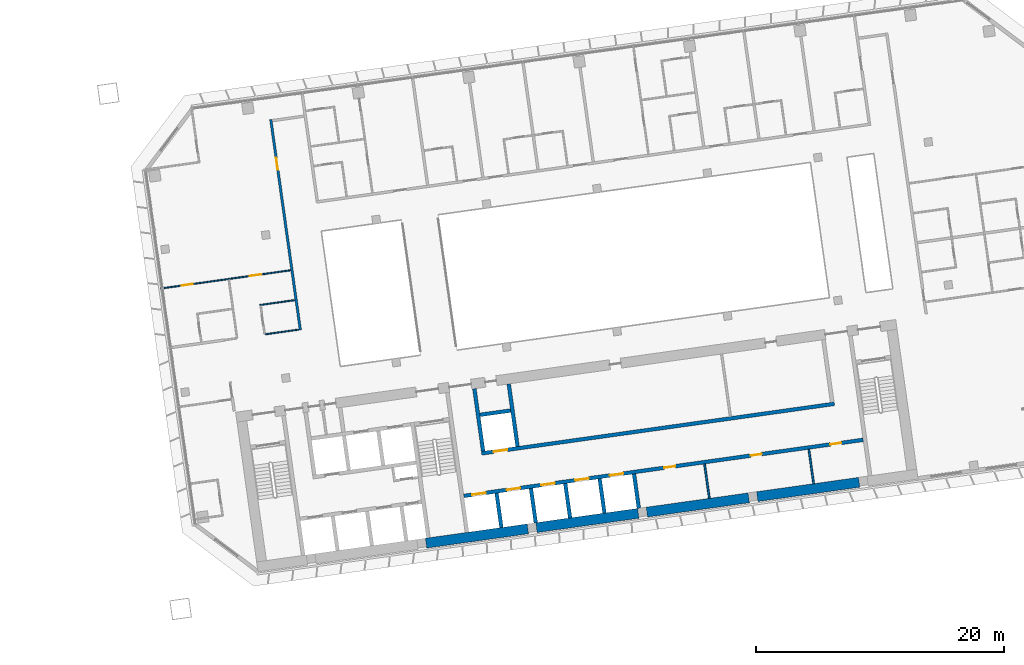
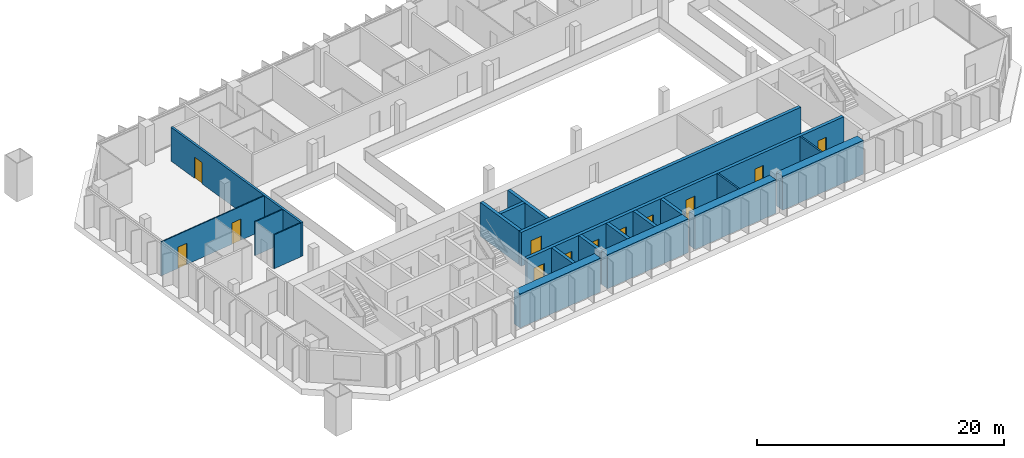
# One storey, part 19 of 26: 20 walls, 12 doors, 12 openings.
"""IFC4 building model written with IfcOpenShell, lengths in metres."""

from ifc_helpers import new_model, si_unit, direction, frame, frame_2d, origin, place, context, subcontext, project, spatial, rectangle, extrude, material, layer, layer_set, type_object, element, fill, save


model = new_model("IFC4")

# Units and contexts
model_context = context("Model", 3, precision=1e-05, world=origin(), true_north=direction((0.0, 1.0)))
body_context = subcontext(model_context, "Body", "Model", "MODEL_VIEW")
ifc_project = project(units=[si_unit("LENGTHUNIT", "METRE"), si_unit("AREAUNIT", "SQUARE_METRE"), si_unit("VOLUMEUNIT", "CUBIC_METRE"), si_unit("PLANEANGLEUNIT", "RADIAN"), si_unit("MASSUNIT", "GRAM", prefix="KILO")], contexts=[model_context])

# Site, building, storey
site_placement = place(None, origin())
site = spatial("IfcSite", under=ifc_project, at=site_placement, CompositionType="ELEMENT")
building_placement = place(site_placement, origin())
building = spatial("IfcBuilding", under=site, at=building_placement, Name="Mirante Cascada Hotel Towers", CompositionType="ELEMENT")
storey_placement = place(building_placement, frame((0.0, 0.0, 106.3)))
storey = spatial("IfcBuildingStorey", under=building, at=storey_placement, Name="L23", CompositionType="ELEMENT", Elevation=106.3)

# Wall, opening, door
ifc_material_1 = material(Name="Fire-rated plasterboard on metal studs")
ifc_layer_1 = layer(ifc_material_1, 0.2)
ifc_layer_set_1 = layer_set([ifc_layer_1], Name="Compartment wall 200 EI 120")
wall_type_1 = type_object("IfcWallType", Name="Compartment wall 200 EI 120", PredefinedType="PARTITIONING", material=ifc_layer_set_1)
wall_1_placement = place(storey_placement, frame((40.6028, -0.5604, 0.0), z_axis=(0.0, 0.0, 1.0), x_axis=(-0.139172, 0.9902682, 0.0)))
wall_1 = element("IfcWall", 1, at=wall_1_placement, inside=storey, type_object=wall_type_1, Name="Wall 2-L23-38", PredefinedType="PARTITIONING", context=body_context, shape_type="SweptSolid", body=[
    extrude(rectangle(XDim=17.15, YDim=0.2, at=frame_2d((8.575, 0.0))), origin(), (0.0, 0.0, 1.0), 3.35),
])
opening_1_placement = place(wall_1_placement, frame((13.05, 0.0, 0.0)))
opening_1 = element("IfcOpeningElement", 2, at=opening_1_placement, cuts=wall_1, Name="Opening D2-L23-31", PredefinedType="OPENING", context=body_context, shape_type="SweptSolid", body=[
    extrude(rectangle(XDim=1.0, YDim=2.1, at=frame_2d((0.5, 1.05))), frame((0.0, 0.1, 0.0), z_axis=(0.0, -1.0, 0.0), x_axis=(1.0, 0.0, 0.0)), (0.0, 0.0, 1.0), 0.2),
])
ifc_material_2 = material(Name="Fire-rated timber door leaf", Category="wood")
door_type_1 = type_object("IfcDoorType", Name="Entrance door DG1 1000x2100 EI 60", OperationType="SINGLE_SWING_LEFT", PredefinedType="DOOR", material=ifc_material_2)
door_1_placement = place(opening_1_placement, origin())
door_1 = element("IfcDoor", 3, at=door_1_placement, inside=storey, type_object=door_type_1, Name="Door D2-L23-31", OperationType="SINGLE_SWING_LEFT", OverallHeight=2.1, OverallWidth=1.0, PredefinedType="DOOR", context=body_context, shape_type="SweptSolid", body=[
    extrude(rectangle(XDim=1.0, YDim=2.1, at=frame_2d((0.5, 1.05))), frame((0.0, 0.025, 0.0), z_axis=(0.0, -1.0, 0.0), x_axis=(1.0, 0.0, 0.0)), (0.0, 0.0, 1.0), 0.05),
])
fill(opening_1, door_1)

# Walls
ifc_material_3 = material(Name="Masonry block", Category="masonry")
ifc_layer_2 = layer(ifc_material_3, 0.15)
ifc_layer_set_2 = layer_set([ifc_layer_2], Name="Core room partition 150 block EI 30")
wall_type_2 = type_object("IfcWallType", Name="Core room partition 150 block EI 30", PredefinedType="PARTITIONING", material=ifc_layer_set_2)
wall_2_placement = place(storey_placement, frame((73.6152, -14.1482, 0.0), z_axis=(0.0, 0.0, 1.0), x_axis=(-0.139176, 0.9902677, 0.0)))
element("IfcWall", 4, at=wall_2_placement, inside=storey, type_object=wall_type_2, Name="Core wall partition T2 L23 5", PredefinedType="PARTITIONING", context=body_context, shape_type="SweptSolid", body=[
    extrude(rectangle(XDim=2.8001, YDim=0.15, at=frame_2d((1.4, 0.0))), origin(), (0.0, 0.0, 1.0), 3.35),
])
wall_3_placement = place(storey_placement, frame((82.0324, -12.9652, 0.0), z_axis=(0.0, 0.0, 1.0), x_axis=(-0.139141, 0.9902726, 0.0)))
element("IfcWall", 5, at=wall_3_placement, inside=storey, type_object=wall_type_2, Name="Core wall partition T2 L23 6", PredefinedType="PARTITIONING", context=body_context, shape_type="SweptSolid", body=[
    extrude(rectangle(XDim=2.8, YDim=0.15, at=frame_2d((1.4, 0.0))), origin(), (0.0, 0.0, 1.0), 3.35),
])
ifc_material_4 = material(Name="Plasterboard on metal studs")
ifc_layer_3 = layer(ifc_material_4, 0.1)
ifc_layer_set_3 = layer_set([ifc_layer_3], Name="Partition 100")
wall_type_3 = type_object("IfcWallType", Name="Partition 100", PredefinedType="PARTITIONING", material=ifc_layer_set_3)
wall_4_placement = place(storey_placement, frame((37.7538, -0.9103, 0.0), z_axis=(0.0, 0.0, 1.0), x_axis=(0.9902645, 0.1391984, 0.0)))
element("IfcWall", 6, at=wall_4_placement, inside=storey, type_object=wall_type_3, Name="Wall 2-L23-10", PredefinedType="PARTITIONING", context=body_context, shape_type="SweptSolid", body=[
    extrude(rectangle(XDim=2.74, YDim=0.1, at=frame_2d((1.37, 0.0))), origin(), (0.0, 0.0, 1.0), 3.35),
])
wall_5_placement = place(storey_placement, frame((40.1628, 1.8519, 0.0), z_axis=(0.0, 0.0, 1.0), x_axis=(-0.9902649, -0.1391957, 0.0)))
element("IfcWall", 7, at=wall_5_placement, inside=storey, type_object=wall_type_3, Name="Wall 2-L23-13", PredefinedType="PARTITIONING", context=body_context, shape_type="SweptSolid", body=[
    extrude(rectangle(XDim=2.8499, YDim=0.1, at=frame_2d((1.425, 0.0))), origin(), (0.0, 0.0, 1.0), 3.35),
])

# Wall, openings, doors
wall_6_placement = place(storey_placement, frame((29.3273, 2.7863, 0.0), z_axis=(0.0, 0.0, 1.0), x_axis=(0.9902686, 0.1391691, 0.0)))
wall_6 = element("IfcWall", 8, at=wall_6_placement, inside=storey, type_object=wall_type_3, Name="Wall 2-L23-16", PredefinedType="PARTITIONING", context=body_context, shape_type="SweptSolid", body=[
    extrude(rectangle(XDim=10.6001, YDim=0.1, at=frame_2d((5.3, 0.0))), origin(), (0.0, 0.0, 1.0), 3.35),
])
opening_2_placement = place(wall_6_placement, frame((1.725, 0.0, 0.0)))
opening_2 = element("IfcOpeningElement", 9, at=opening_2_placement, cuts=wall_6, Name="Opening D2-L23-05", PredefinedType="OPENING", context=body_context, shape_type="SweptSolid", body=[
    extrude(rectangle(XDim=0.9, YDim=2.1, at=frame_2d((0.45, 1.05))), frame((0.0, 0.05, 0.0), z_axis=(0.0, -1.0, 0.0), x_axis=(1.0, 0.0, 0.0)), (0.0, 0.0, 1.0), 0.1),
])
opening_3_placement = place(wall_6_placement, frame((7.275, 0.0, 0.0)))
opening_3 = element("IfcOpeningElement", 10, at=opening_3_placement, cuts=wall_6, Name="Opening D2-L23-06", PredefinedType="OPENING", context=body_context, shape_type="SweptSolid", body=[
    extrude(rectangle(XDim=0.9, YDim=2.1, at=frame_2d((0.45, 1.05))), frame((0.0, 0.05, 0.0), z_axis=(0.0, -1.0, 0.0), x_axis=(1.0, 0.0, 0.0)), (0.0, 0.0, 1.0), 0.1),
])
ifc_material_5 = material(Name="Timber door leaf", Category="wood")
door_type_2 = type_object("IfcDoorType", Name="Room door DG3 900x2100", OperationType="SINGLE_SWING_LEFT", PredefinedType="DOOR", material=ifc_material_5)
door_2_placement = place(opening_2_placement, origin())
door_2 = element("IfcDoor", 11, at=door_2_placement, inside=storey, type_object=door_type_2, Name="Door D2-L23-05", OperationType="SINGLE_SWING_LEFT", OverallHeight=2.1, OverallWidth=0.9, PredefinedType="DOOR", context=body_context, shape_type="SweptSolid", body=[
    extrude(rectangle(XDim=0.9, YDim=2.1, at=frame_2d((0.45, 1.05))), frame((0.0, 0.025, 0.0), z_axis=(0.0, -1.0, 0.0), x_axis=(1.0, 0.0, 0.0)), (0.0, 0.0, 1.0), 0.05),
])
fill(opening_2, door_2)
door_3_placement = place(opening_3_placement, origin())
door_3 = element("IfcDoor", 12, at=door_3_placement, inside=storey, type_object=door_type_2, Name="Door D2-L23-06", OperationType="SINGLE_SWING_LEFT", OverallHeight=2.1, OverallWidth=0.9, PredefinedType="DOOR", context=body_context, shape_type="SweptSolid", body=[
    extrude(rectangle(XDim=0.9, YDim=2.1, at=frame_2d((0.45, 1.05))), frame((0.0, 0.025, 0.0), z_axis=(0.0, -1.0, 0.0), x_axis=(1.0, 0.0, 0.0)), (0.0, 0.0, 1.0), 0.05),
])
fill(opening_3, door_3)

ifc_material_6 = material(Name="Concrete C50/60", Category="concrete")
ifc_layer_4 = layer(ifc_material_6, 0.3)
ifc_layer_set_4 = layer_set([ifc_layer_4], Name="RC core wall 300 C50/60")
wall_type_4 = type_object("IfcWallType", Name="RC core wall 300 C50/60", PredefinedType="SHEAR", material=ifc_layer_set_4)
wall_7_placement = place(storey_placement, frame((53.7953, -13.9547, 0.0), z_axis=(0.0, 0.0, 1.0), x_axis=(0.990268, 0.1391733, 0.0)))
wall_7 = element("IfcWall", 13, at=wall_7_placement, inside=storey, type_object=wall_type_4, Name="Core wall T2:L23:25", PredefinedType="SHEAR", context=body_context, shape_type="SweptSolid", body=[
    extrude(rectangle(XDim=32.5501, YDim=0.3, at=frame_2d((16.275, 0.0))), origin(), (0.0, 0.0, 1.0), 3.35),
])
opening_4_placement = place(wall_7_placement, frame((0.7, 0.0, 0.0)))
opening_4 = element("IfcOpeningElement", 14, at=opening_4_placement, cuts=wall_7, Name="Opening LD", PredefinedType="OPENING", context=body_context, shape_type="SweptSolid", body=[
    extrude(rectangle(XDim=1.1, YDim=2.1, at=frame_2d((0.55, 1.05))), frame((0.0, 0.15, 0.0), z_axis=(0.0, -1.0, 0.0), x_axis=(1.0, 0.0, 0.0)), (0.0, 0.0, 1.0), 0.3),
])
opening_5_placement = place(wall_7_placement, frame((3.5, 0.0, 0.0)))
opening_5 = element("IfcOpeningElement", 15, at=opening_5_placement, cuts=wall_7, Name="Opening LD", PredefinedType="OPENING", context=body_context, shape_type="SweptSolid", body=[
    extrude(rectangle(XDim=1.1, YDim=2.1, at=frame_2d((0.55, 1.05))), frame((0.0, 0.15, 0.0), z_axis=(0.0, -1.0, 0.0), x_axis=(1.0, 0.0, 0.0)), (0.0, 0.0, 1.0), 0.3),
])
opening_6_placement = place(wall_7_placement, frame((6.3, 0.0, 0.0)))
opening_6 = element("IfcOpeningElement", 16, at=opening_6_placement, cuts=wall_7, Name="Opening LD", PredefinedType="OPENING", context=body_context, shape_type="SweptSolid", body=[
    extrude(rectangle(XDim=1.1, YDim=2.1, at=frame_2d((0.55, 1.05))), frame((0.0, 0.15, 0.0), z_axis=(0.0, -1.0, 0.0), x_axis=(1.0, 0.0, 0.0)), (0.0, 0.0, 1.0), 0.3),
])
opening_7_placement = place(wall_7_placement, frame((9.1, 0.0, 0.0)))
opening_7 = element("IfcOpeningElement", 17, at=opening_7_placement, cuts=wall_7, Name="Opening LD", PredefinedType="OPENING", context=body_context, shape_type="SweptSolid", body=[
    extrude(rectangle(XDim=1.1, YDim=2.1, at=frame_2d((0.55, 1.05))), frame((0.0, 0.15, 0.0), z_axis=(0.0, -1.0, 0.0), x_axis=(1.0, 0.0, 0.0)), (0.0, 0.0, 1.0), 0.3),
])
opening_8_placement = place(wall_7_placement, frame((11.9, 0.0, 0.0)))
opening_8 = element("IfcOpeningElement", 18, at=opening_8_placement, cuts=wall_7, Name="Opening LD", PredefinedType="OPENING", context=body_context, shape_type="SweptSolid", body=[
    extrude(rectangle(XDim=1.1, YDim=2.1, at=frame_2d((0.55, 1.05))), frame((0.0, 0.15, 0.0), z_axis=(0.0, -1.0, 0.0), x_axis=(1.0, 0.0, 0.0)), (0.0, 0.0, 1.0), 0.3),
])
opening_9_placement = place(wall_7_placement, frame((16.35, 0.0, 0.0)))
opening_9 = element("IfcOpeningElement", 19, at=opening_9_placement, cuts=wall_7, Name="Opening D2-23-C26", PredefinedType="OPENING", context=body_context, shape_type="SweptSolid", body=[
    extrude(rectangle(XDim=0.9, YDim=2.1, at=frame_2d((0.45, 1.05))), frame((0.0, 0.15, 0.0), z_axis=(0.0, -1.0, 0.0), x_axis=(1.0, 0.0, 0.0)), (0.0, 0.0, 1.0), 0.3),
])
opening_10_placement = place(wall_7_placement, frame((23.4, 0.0, 0.0)))
opening_10 = element("IfcOpeningElement", 20, at=opening_10_placement, cuts=wall_7, Name="Opening D2-23-C27", PredefinedType="OPENING", context=body_context, shape_type="SweptSolid", body=[
    extrude(rectangle(XDim=0.9, YDim=2.1, at=frame_2d((0.45, 1.05))), frame((0.0, 0.15, 0.0), z_axis=(0.0, -1.0, 0.0), x_axis=(1.0, 0.0, 0.0)), (0.0, 0.0, 1.0), 0.3),
])
opening_11_placement = place(wall_7_placement, frame((29.875, 0.0, 0.0)))
opening_11 = element("IfcOpeningElement", 21, at=opening_11_placement, cuts=wall_7, Name="Opening D2-23-C28", PredefinedType="OPENING", context=body_context, shape_type="SweptSolid", body=[
    extrude(rectangle(XDim=0.9, YDim=2.1, at=frame_2d((0.45, 1.05))), frame((0.0, 0.15, 0.0), z_axis=(0.0, -1.0, 0.0), x_axis=(1.0, 0.0, 0.0)), (0.0, 0.0, 1.0), 0.3),
])
ifc_material_7 = material(Name="Hollow metal fire door leaf")
door_type_3 = type_object("IfcDoorType", Name="Fire door 900x2100 FD60", OperationType="NOTDEFINED", PredefinedType="DOOR", material=ifc_material_7)
door_4_placement = place(opening_9_placement, frame((0.9, 0.0, 0.0), z_axis=(0.0, 0.0, 1.0), x_axis=(-1.0, 0.0, 0.0)))
door_4 = element("IfcDoor", 22, at=door_4_placement, inside=storey, type_object=door_type_3, Name="Room door T2 L23 26", OperationType="SINGLE_SWING_LEFT", OverallHeight=2.1, OverallWidth=0.9, PredefinedType="DOOR", context=body_context, shape_type="SweptSolid", body=[
    extrude(rectangle(XDim=0.9, YDim=2.1, at=frame_2d((0.45, 1.05))), frame((0.0, 0.025, 0.0), z_axis=(0.0, -1.0, 0.0), x_axis=(1.0, 0.0, 0.0)), (0.0, 0.0, 1.0), 0.05),
])
fill(opening_9, door_4)
door_5_placement = place(opening_10_placement, frame((0.9, 0.0, 0.0), z_axis=(0.0, 0.0, 1.0), x_axis=(-1.0, 0.0, 0.0)))
door_5 = element("IfcDoor", 23, at=door_5_placement, inside=storey, type_object=door_type_3, Name="Room door T2 L23 27", OperationType="SINGLE_SWING_RIGHT", OverallHeight=2.1, OverallWidth=0.9, PredefinedType="DOOR", context=body_context, shape_type="SweptSolid", body=[
    extrude(rectangle(XDim=0.9, YDim=2.1, at=frame_2d((0.45, 1.05))), frame((0.0, 0.025, 0.0), z_axis=(0.0, -1.0, 0.0), x_axis=(1.0, 0.0, 0.0)), (0.0, 0.0, 1.0), 0.05),
])
fill(opening_10, door_5)
door_6_placement = place(opening_11_placement, frame((0.9, 0.0, 0.0), z_axis=(0.0, 0.0, 1.0), x_axis=(-1.0, 0.0, 0.0)))
door_6 = element("IfcDoor", 24, at=door_6_placement, inside=storey, type_object=door_type_3, Name="Room door T2 L23 28", OperationType="SINGLE_SWING_RIGHT", OverallHeight=2.1, OverallWidth=0.9, PredefinedType="DOOR", context=body_context, shape_type="SweptSolid", body=[
    extrude(rectangle(XDim=0.9, YDim=2.1, at=frame_2d((0.45, 1.05))), frame((0.0, 0.025, 0.0), z_axis=(0.0, -1.0, 0.0), x_axis=(1.0, 0.0, 0.0)), (0.0, 0.0, 1.0), 0.05),
])
fill(opening_11, door_6)
ifc_material_8 = material(Name="Stainless steel", Category="steel")
door_type_4 = type_object("IfcDoorType", Name="Lift landing door 1100x2100 EI 120", OperationType="DOUBLE_DOOR_SLIDING", PredefinedType="DOOR", material=ifc_material_8)
door_7_placement = place(opening_4_placement, origin())
door_7 = element("IfcDoor", 25, at=door_7_placement, inside=storey, type_object=door_type_4, Name="Lift landing door LR2-1 L23", OperationType="DOUBLE_DOOR_SLIDING", OverallHeight=2.1, OverallWidth=1.1, PredefinedType="DOOR", context=body_context, shape_type="SweptSolid", body=[
    extrude(rectangle(XDim=0.545, YDim=2.1, at=frame_2d((0.2725, 1.05))), frame((0.0, 0.025, 0.0), z_axis=(0.0, -1.0, 0.0), x_axis=(1.0, 0.0, 0.0)), (0.0, 0.0, 1.0), 0.05),
    extrude(rectangle(XDim=0.545, YDim=2.1, at=frame_2d((0.8275, 1.05))), frame((0.0, 0.025, 0.0), z_axis=(0.0, -1.0, 0.0), x_axis=(1.0, 0.0, 0.0)), (0.0, 0.0, 1.0), 0.05),
])
fill(opening_4, door_7)
door_8_placement = place(opening_5_placement, origin())
door_8 = element("IfcDoor", 26, at=door_8_placement, inside=storey, type_object=door_type_4, Name="Lift landing door LR2-2 L23", OperationType="DOUBLE_DOOR_SLIDING", OverallHeight=2.1, OverallWidth=1.1, PredefinedType="DOOR", context=body_context, shape_type="SweptSolid", body=[
    extrude(rectangle(XDim=0.545, YDim=2.1, at=frame_2d((0.2725, 1.05))), frame((0.0, 0.025, 0.0), z_axis=(0.0, -1.0, 0.0), x_axis=(1.0, 0.0, 0.0)), (0.0, 0.0, 1.0), 0.05),
    extrude(rectangle(XDim=0.545, YDim=2.1, at=frame_2d((0.8275, 1.05))), frame((0.0, 0.025, 0.0), z_axis=(0.0, -1.0, 0.0), x_axis=(1.0, 0.0, 0.0)), (0.0, 0.0, 1.0), 0.05),
])
fill(opening_5, door_8)
door_9_placement = place(opening_6_placement, origin())
door_9 = element("IfcDoor", 27, at=door_9_placement, inside=storey, type_object=door_type_4, Name="Lift landing door SV2-1 L23", OperationType="DOUBLE_DOOR_SLIDING", OverallHeight=2.1, OverallWidth=1.1, PredefinedType="DOOR", context=body_context, shape_type="SweptSolid", body=[
    extrude(rectangle(XDim=0.545, YDim=2.1, at=frame_2d((0.2725, 1.05))), frame((0.0, 0.025, 0.0), z_axis=(0.0, -1.0, 0.0), x_axis=(1.0, 0.0, 0.0)), (0.0, 0.0, 1.0), 0.05),
    extrude(rectangle(XDim=0.545, YDim=2.1, at=frame_2d((0.8275, 1.05))), frame((0.0, 0.025, 0.0), z_axis=(0.0, -1.0, 0.0), x_axis=(1.0, 0.0, 0.0)), (0.0, 0.0, 1.0), 0.05),
])
fill(opening_6, door_9)
door_10_placement = place(opening_7_placement, origin())
door_10 = element("IfcDoor", 28, at=door_10_placement, inside=storey, type_object=door_type_4, Name="Lift landing door SV2-2 L23", OperationType="DOUBLE_DOOR_SLIDING", OverallHeight=2.1, OverallWidth=1.1, PredefinedType="DOOR", context=body_context, shape_type="SweptSolid", body=[
    extrude(rectangle(XDim=0.545, YDim=2.1, at=frame_2d((0.2725, 1.05))), frame((0.0, 0.025, 0.0), z_axis=(0.0, -1.0, 0.0), x_axis=(1.0, 0.0, 0.0)), (0.0, 0.0, 1.0), 0.05),
    extrude(rectangle(XDim=0.545, YDim=2.1, at=frame_2d((0.8275, 1.05))), frame((0.0, 0.025, 0.0), z_axis=(0.0, -1.0, 0.0), x_axis=(1.0, 0.0, 0.0)), (0.0, 0.0, 1.0), 0.05),
])
fill(opening_7, door_10)
door_11_placement = place(opening_8_placement, origin())
door_11 = element("IfcDoor", 29, at=door_11_placement, inside=storey, type_object=door_type_4, Name="Lift landing door SV2-3 L23", OperationType="DOUBLE_DOOR_SLIDING", OverallHeight=2.1, OverallWidth=1.1, PredefinedType="DOOR", context=body_context, shape_type="SweptSolid", body=[
    extrude(rectangle(XDim=0.545, YDim=2.1, at=frame_2d((0.2725, 1.05))), frame((0.0, 0.025, 0.0), z_axis=(0.0, -1.0, 0.0), x_axis=(1.0, 0.0, 0.0)), (0.0, 0.0, 1.0), 0.05),
    extrude(rectangle(XDim=0.545, YDim=2.1, at=frame_2d((0.8275, 1.05))), frame((0.0, 0.025, 0.0), z_axis=(0.0, -1.0, 0.0), x_axis=(1.0, 0.0, 0.0)), (0.0, 0.0, 1.0), 0.05),
])
fill(opening_8, door_11)

# Walls
for number, where, z_axis, x_axis, name in (
    (30, (56.8301, -16.5072, 0.0), (0.0, 0.0, 1.0), (-0.139176, 0.9902677, 0.0), "Core wall T2:L23:26"),
    (31, (59.6029, -16.1175, 0.0), (0.0, 0.0, 1.0), (-0.139176, 0.9902677, 0.0), "Core wall T2:L23:27"),
    (32, (62.3756, -15.7278, 0.0), (0.0, 0.0, 1.0), (-0.139176, 0.9902677, 0.0), "Core wall T2:L23:28"),
    (33, (65.1484, -15.3381, 0.0), (0.0, 0.0, 1.0), (-0.139176, 0.9902677, 0.0), "Core wall T2:L23:29"),
):
    element("IfcWall", number, at=place(storey_placement, frame(where, z_axis=z_axis, x_axis=x_axis)), inside=storey, type_object=wall_type_4, Name=name, PredefinedType="SHEAR", context=body_context, shape_type="SweptSolid", body=[
        extrude(rectangle(XDim=2.8001, YDim=0.3, at=frame_2d((1.4, 0.0))), origin(), (0.0, 0.0, 1.0), 3.35),
    ])
wall_8_placement = place(storey_placement, frame((67.9211, -14.9484, 0.0), z_axis=(0.0, 0.0, 1.0), x_axis=(-0.139181, 0.990267, 0.0)))
element("IfcWall", 34, at=wall_8_placement, inside=storey, type_object=wall_type_4, Name="Core wall T2:L23:30", PredefinedType="SHEAR", context=body_context, shape_type="SweptSolid", body=[
    extrude(rectangle(XDim=2.8, YDim=0.3, at=frame_2d((1.4, 0.0))), origin(), (0.0, 0.0, 1.0), 3.35),
])

# Wall, opening, door
wall_9_placement = place(storey_placement, frame((55.2315, -10.5214, 0.0), z_axis=(0.0, 0.0, 1.0), x_axis=(0.9902682, 0.1391722, 0.0)))
wall_9 = element("IfcWall", 35, at=wall_9_placement, inside=storey, type_object=wall_type_4, Name="Core wall T2:L23:33", PredefinedType="SHEAR", context=body_context, shape_type="SweptSolid", body=[
    extrude(rectangle(XDim=28.75, YDim=0.3, at=frame_2d((14.375, 0.0))), origin(), (0.0, 0.0, 1.0), 3.35),
])
opening_12_placement = place(wall_9_placement, frame((1.0, 0.0, 0.0)))
opening_12 = element("IfcOpeningElement", 36, at=opening_12_placement, cuts=wall_9, Name="Opening LD", PredefinedType="OPENING", context=body_context, shape_type="SweptSolid", body=[
    extrude(rectangle(XDim=1.1, YDim=2.1, at=frame_2d((0.55, 1.05))), frame((0.0, 0.15, 0.0), z_axis=(0.0, -1.0, 0.0), x_axis=(1.0, 0.0, 0.0)), (0.0, 0.0, 1.0), 0.3),
])
door_12_placement = place(opening_12_placement, origin())
door_12 = element("IfcDoor", 37, at=door_12_placement, inside=storey, type_object=door_type_4, Name="Lift landing door LR2-3 L23", OperationType="DOUBLE_DOOR_SLIDING", OverallHeight=2.1, OverallWidth=1.1, PredefinedType="DOOR", context=body_context, shape_type="SweptSolid", body=[
    extrude(rectangle(XDim=0.545, YDim=2.1, at=frame_2d((0.2725, 1.05))), frame((0.0, 0.025, 0.0), z_axis=(0.0, -1.0, 0.0), x_axis=(1.0, 0.0, 0.0)), (0.0, 0.0, 1.0), 0.05),
    extrude(rectangle(XDim=0.545, YDim=2.1, at=frame_2d((0.8275, 1.05))), frame((0.0, 0.025, 0.0), z_axis=(0.0, -1.0, 0.0), x_axis=(1.0, 0.0, 0.0)), (0.0, 0.0, 1.0), 0.05),
])
fill(opening_12, door_12)

# Walls
for number, where, z_axis, x_axis, name in (
    (38, (55.3592, -10.352, 0.0), (0.0, 0.0, 1.0), (-0.1391755, 0.9902677, 0.0), "Core wall T2:L23:34"),
    (39, (58.1319, -9.9623, 0.0), (0.0, 0.0, 1.0), (-0.1391755, 0.9902677, 0.0), "Core wall T2:L23:36"),
):
    element("IfcWall", number, at=place(storey_placement, frame(where, z_axis=z_axis, x_axis=x_axis)), inside=storey, type_object=wall_type_4, Name=name, PredefinedType="SHEAR", context=body_context, shape_type="SweptSolid", body=[
        extrude(rectangle(XDim=5.1, YDim=0.3, at=frame_2d((2.55, 0.0))), origin(), (0.0, 0.0, 1.0), 3.35),
    ])
wall_10_placement = place(storey_placement, frame((55.0971, -7.4098, 0.0), z_axis=(0.0, 0.0, 1.0), x_axis=(0.9902701, 0.1391586, 0.0)))
element("IfcWall", 40, at=wall_10_placement, inside=storey, type_object=wall_type_4, Name="Core wall T2:L23:37", PredefinedType="SHEAR", context=body_context, shape_type="SweptSolid", body=[
    extrude(rectangle(XDim=2.5, YDim=0.3, at=frame_2d((1.25, 0.0))), origin(), (0.0, 0.0, 1.0), 3.35),
])
ifc_material_9 = material(Name="Concrete C50/60", Category="concrete")
ifc_layer_5 = layer(ifc_material_9, 0.8)
ifc_layer_set_5 = layer_set([ifc_layer_5], Name="RC core wall 800 C50/60")
wall_type_5 = type_object("IfcWallType", Name="RC core wall 800 C50/60", PredefinedType="SHEAR", material=ifc_layer_set_5)
wall_11_placement = place(storey_placement, frame((50.7461, -17.7661, 0.0), z_axis=(0.0, 0.0, 1.0), x_axis=(0.9902686, 0.1391692, 0.0)))
element("IfcWall", 41, at=wall_11_placement, inside=storey, type_object=wall_type_5, Name="Core wall T2:L23:1.3", PredefinedType="SHEAR", context=body_context, shape_type="SweptSolid", body=[
    extrude(rectangle(XDim=8.3, YDim=0.8, at=frame_2d((4.15, 0.0))), origin(), (0.0, 0.0, 1.0), 3.35),
])
for number, where, z_axis, x_axis, name in (
    (42, (59.6585, -16.5136, 0.0), (0.0, 0.0, 1.0), (0.9902672, 0.1391793, 0.0), "Core wall T2:L23:1.4"),
    (43, (68.5709, -15.261, 0.0), (0.0, 0.0, 1.0), (0.9902689, 0.1391675, 0.0), "Core wall T2:L23:1.5"),
):
    element("IfcWall", number, at=place(storey_placement, frame(where, z_axis=z_axis, x_axis=x_axis)), inside=storey, type_object=wall_type_5, Name=name, PredefinedType="SHEAR", context=body_context, shape_type="SweptSolid", body=[
        extrude(rectangle(XDim=8.3001, YDim=0.8, at=frame_2d((4.15, 0.0))), origin(), (0.0, 0.0, 1.0), 3.35),
    ])
wall_12_placement = place(storey_placement, frame((77.4834, -14.0085, 0.0), z_axis=(0.0, 0.0, 1.0), x_axis=(0.990267, 0.139181, 0.0)))
element("IfcWall", 44, at=wall_12_placement, inside=storey, type_object=wall_type_5, Name="Core wall T2:L23:1.6", PredefinedType="SHEAR", context=body_context, shape_type="SweptSolid", body=[
    extrude(rectangle(XDim=8.3, YDim=0.8, at=frame_2d((4.15, 0.0))), origin(), (0.0, 0.0, 1.0), 3.35),
])

save(model, "model.ifc")
